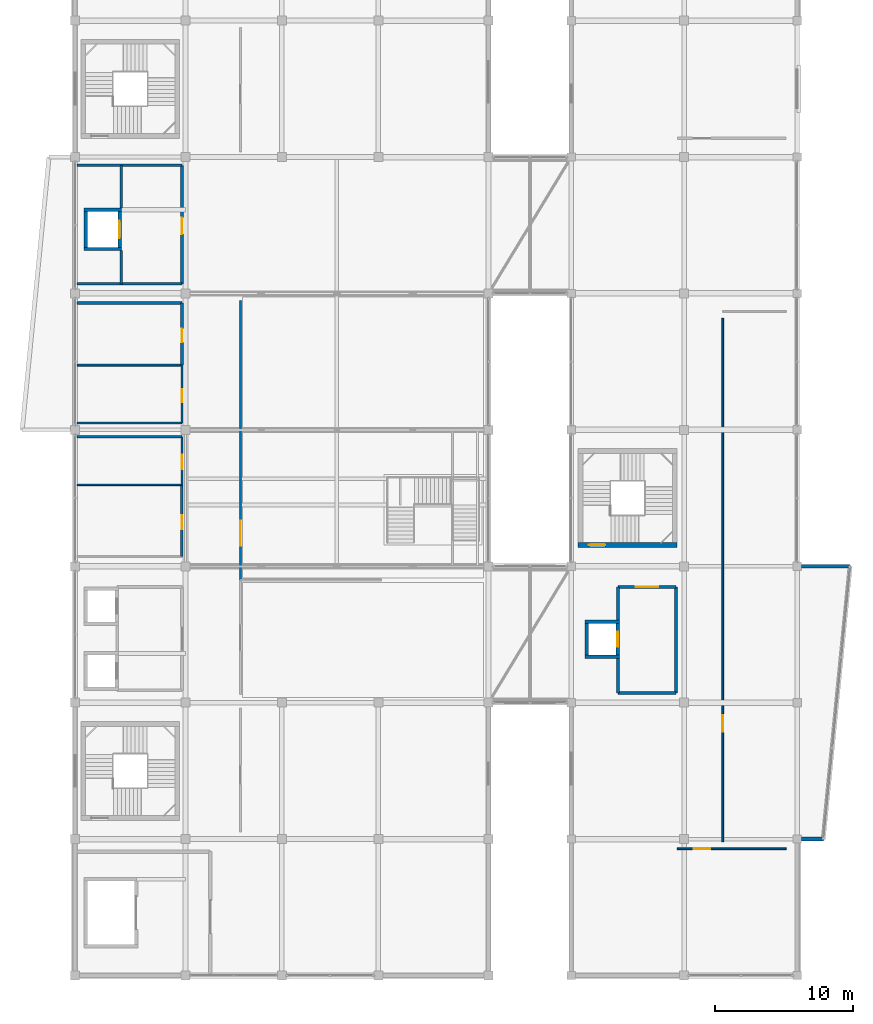
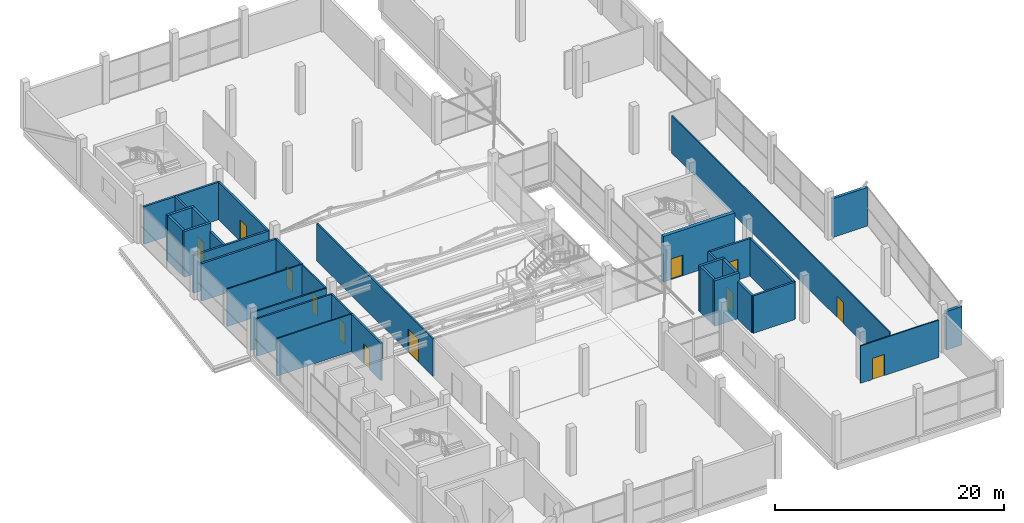
# One storey, part 53 of 66: 33 walls, 12 doors, 12 openings.
"""IFC4 building model written with IfcOpenShell, lengths in metres."""

from ifc_helpers import new_model, si_unit, direction, frame, frame_2d, origin, place, context, subcontext, project, spatial, rectangle, extrude, material, layer, layer_set, type_object, element, fill, save


model = new_model("IFC4")

# Units and contexts
model_context = context("Model", 3, precision=1e-05, world=origin(), true_north=direction((0.0, 1.0)))
body_context = subcontext(model_context, "Body", "Model", "MODEL_VIEW")
ifc_project = project(units=[si_unit("LENGTHUNIT", "METRE"), si_unit("AREAUNIT", "SQUARE_METRE"), si_unit("VOLUMEUNIT", "CUBIC_METRE"), si_unit("PLANEANGLEUNIT", "RADIAN"), si_unit("MASSUNIT", "GRAM", prefix="KILO")], contexts=[model_context])

# Site, building, storey
site_placement = place(None, origin())
site = spatial("IfcSite", under=ifc_project, at=site_placement, CompositionType="ELEMENT")
building_placement = place(site_placement, origin())
building = spatial("IfcBuilding", under=site, at=building_placement, Name="Sillaruma Civic Art Gallery", CompositionType="ELEMENT")
storey_placement = place(building_placement, frame((0.0, 0.0, 57.1201171875)))
storey = spatial("IfcBuildingStorey", under=building, at=storey_placement, Name="L11", CompositionType="ELEMENT", Elevation=57.1201171875)

# Wall, opening, door
ifc_material_1 = material(Name="Concrete H40 (40 MPa)", Category="concrete")
ifc_layer_1 = layer(ifc_material_1, 0.35009765625, Name="Concrete H40 (40 MPa)")
ifc_layer_set_1 = layer_set([ifc_layer_1], Name="Concrete H40 (40 MPa)")
wall_type_1 = type_object("IfcWallType", Name="WAL-CORE-350", PredefinedType="SHEAR", material=ifc_layer_set_1)
wall_1_placement = place(storey_placement, frame((98.510009765625, 51.034912109375, 0.0), z_axis=(0.0, 0.0, 1.0), x_axis=(1.0, 0.0, 0.0)))
wall_1 = element("IfcWall", 1, at=wall_1_placement, inside=storey, type_object=wall_type_1, Name="Stair Core Shear Wall W-CORE-350 (ST-04:L11:S)", PredefinedType="SHEAR", context=body_context, shape_type="SweptSolid", body=[
    extrude(rectangle(XDim=7.179931640625, YDim=0.35009765625, at=frame_2d((3.58984375, 0.0))), origin(), (0.0, 0.0, 1.0), 4.869873046875),
])
opening_1_placement = place(wall_1_placement, frame((0.77001953125, 0.0, 0.0)))
opening_1 = element("IfcOpeningElement", 2, at=opening_1_placement, cuts=wall_1, Name="Opening D-STAIR", PredefinedType="OPENING", context=body_context, shape_type="SweptSolid", body=[
    extrude(rectangle(XDim=1.199951171875, YDim=2.199951171875, at=frame_2d((0.60009765625, 1.10009765625))), frame((0.0, 0.18505859375, 0.0), z_axis=(0.0, -1.0, 0.0), x_axis=(1.0, 0.0, 0.0)), (0.0, 0.0, 1.0), 0.3701171875),
])
ifc_material_2 = material(Name="Galvanised Steel ASTM A653 Gr.50", Category="steel")
door_type_1 = type_object("IfcDoorType", Name="DOR-STAIR-120", OperationType="NOTDEFINED", PredefinedType="DOOR", material=ifc_material_2)
door_1_placement = place(opening_1_placement, origin())
door_1 = element("IfcDoor", 3, at=door_1_placement, inside=storey, type_object=door_type_1, Name="Protected Stair Fire Door (ST-04:L11)", OperationType="SINGLE_SWING_LEFT", OverallHeight=2.199951171875, OverallWidth=1.199951171875, PredefinedType="DOOR", context=body_context, shape_type="SweptSolid", body=[
    extrude(rectangle(XDim=1.199951171875, YDim=2.199951171875, at=frame_2d((0.60009765625, 1.10009765625))), frame((0.0, 0.02490234375, 0.0), z_axis=(0.0, -1.0, 0.0), x_axis=(1.0, 0.0, 0.0)), (0.0, 0.0, 1.0), 0.050048828125),
])
fill(opening_1, door_1)

# Walls
ifc_material_3 = material(Name="Concrete H35 (35 MPa)", Category="concrete")
ifc_layer_2 = layer(ifc_material_3, 0.159912109375, Name="Concrete backup", Category="concrete")
ifc_material_4 = material(Name="Mineral Wool Thermal Insulation", Category="insulation")
ifc_layer_3 = layer(ifc_material_4, 0.090087890625, Name="Thermal insulation", Category="insulation")
ifc_material_5 = material(Name="Anodised Zinc-Aluminium Alloy", Category="aluminium")
ifc_layer_4 = layer(ifc_material_5, 0.030029296875, Name="Rainscreen finish", Category="aluminium")
ifc_layer_set_2 = layer_set([ifc_layer_2, ifc_layer_3, ifc_layer_4], Name="W-EXT-280")
wall_type_2 = type_object("IfcWallType", Name="WAL-EXT-280", PredefinedType="SOLIDWALL", material=ifc_layer_set_2)
wall_2_placement = place(storey_placement, frame((114.699951171875, 29.699951171875, 0.0), z_axis=(0.0, 0.0, 1.0), x_axis=(1.0, 0.0, 0.0)))
element("IfcWall", 4, at=wall_2_placement, inside=storey, type_object=wall_type_2, Name="Exterior Wall W-EXT-280 (EW-PRW-L11-E-S1)", PredefinedType="SOLIDWALL", context=body_context, shape_type="SweptSolid", body=[
    extrude(rectangle(XDim=1.60009765625, YDim=0.280029296875, at=frame_2d((0.800048828125, 0.0))), origin(), (0.0, 0.0, 1.0), 4.119873046875),
])
wall_3_placement = place(storey_placement, frame((118.25, 49.5, 0.0), z_axis=(0.0, 0.0, 1.0), x_axis=(-1.0, 0.0, 0.0)))
element("IfcWall", 5, at=wall_3_placement, inside=storey, type_object=wall_type_2, Name="Exterior Wall W-EXT-280 (EW-PRW-L11-E-S3)", PredefinedType="SOLIDWALL", context=body_context, shape_type="SweptSolid", body=[
    extrude(rectangle(XDim=3.550048828125, YDim=0.280029296875, at=frame_2d((1.77490234375, 0.0))), origin(), (0.0, 0.0, 1.0), 4.119873046875),
])
ifc_material_6 = material(Name="Concrete Masonry Unit Grade M15", Category="masonry")
ifc_layer_5 = layer(ifc_material_6, 0.199951171875, Name="Concrete Masonry Unit Grade M15")
ifc_layer_set_3 = layer_set([ifc_layer_5], Name="Concrete Masonry Unit Grade M15")
wall_type_3 = type_object("IfcWallType", Name="WAL-LOBBY-200", PredefinedType="SOLIDWALL", material=ifc_layer_set_3)
for number, where, z_axis, x_axis, name in (
    (6, (62.14990234375, 70.0, 0.0), (0.0, 0.0, 1.0), (1.0, 0.0, 0.0), "Interior Wall W-LOBBY-200 (L11-FFL)"),
    (7, (62.14990234375, 78.60009765625, 0.0), (0.0, 0.0, 1.0), (1.0, 0.0, 0.0), "Interior Wall W-LOBBY-200 (L11-FFL)"),
):
    element("IfcWall", number, at=place(storey_placement, frame(where, z_axis=z_axis, x_axis=x_axis)), inside=storey, type_object=wall_type_3, Name=name, PredefinedType="SOLIDWALL", context=body_context, shape_type="SweptSolid", body=[
        extrude(rectangle(XDim=7.60009765625, YDim=0.199951171875, at=frame_2d((3.800048828125, 0.0))), origin(), (0.0, 0.0, 1.0), 3.989990234375),
    ])
wall_4_placement = place(storey_placement, frame((65.35009765625, 70.0, 0.0), z_axis=(0.0, 0.0, 1.0), x_axis=(0.0, 1.0, 0.0)))
element("IfcWall", 8, at=wall_4_placement, inside=storey, type_object=wall_type_3, Name="Interior Wall W-LOBBY-200 (L11-FFL)", PredefinedType="SOLIDWALL", context=body_context, shape_type="SweptSolid", body=[
    extrude(rectangle(XDim=2.39990234375, YDim=0.199951171875, at=frame_2d((1.199951171875, 0.0))), origin(), (0.0, 0.0, 1.0), 3.989990234375),
])
wall_5_placement = place(storey_placement, frame((65.35009765625, 75.5, 0.0), z_axis=(0.0, 0.0, 1.0), x_axis=(0.0, 1.0, 0.0)))
element("IfcWall", 9, at=wall_5_placement, inside=storey, type_object=wall_type_3, Name="Interior Wall W-LOBBY-200 (L11-FFL)", PredefinedType="SOLIDWALL", context=body_context, shape_type="SweptSolid", body=[
    extrude(rectangle(XDim=3.10009765625, YDim=0.199951171875, at=frame_2d((1.550048828125, 0.0))), origin(), (0.0, 0.0, 1.0), 3.989990234375),
])

# Wall, opening, door
wall_6_placement = place(storey_placement, frame((69.75, 70.0, 0.0), z_axis=(0.0, 0.0, 1.0), x_axis=(0.0, 1.0, 0.0)))
wall_6 = element("IfcWall", 10, at=wall_6_placement, inside=storey, type_object=wall_type_3, Name="Interior Wall W-LOBBY-200 (L11-FFL)", PredefinedType="SOLIDWALL", context=body_context, shape_type="SweptSolid", body=[
    extrude(rectangle(XDim=8.60009765625, YDim=0.199951171875, at=frame_2d((4.300048828125, 0.0))), origin(), (0.0, 0.0, 1.0), 3.989990234375),
])
opening_2_placement = place(wall_6_placement, frame((3.60009765625, 0.0, 0.0)))
opening_2 = element("IfcOpeningElement", 11, at=opening_2_placement, cuts=wall_6, Name="Opening D-FFL", PredefinedType="OPENING", context=body_context, shape_type="SweptSolid", body=[
    extrude(rectangle(XDim=1.199951171875, YDim=2.25, at=frame_2d((0.60009765625, 1.125))), frame((0.0, 0.10986328125, 0.0), z_axis=(0.0, -1.0, 0.0), x_axis=(1.0, 0.0, 0.0)), (0.0, 0.0, 1.0), 0.219970703125),
])
door_type_2 = type_object("IfcDoorType", Name="DOR-FFL-120", OperationType="NOTDEFINED", PredefinedType="DOOR", material=ifc_material_2)
door_2_placement = place(opening_2_placement, origin())
door_2 = element("IfcDoor", 12, at=door_2_placement, inside=storey, type_object=door_type_2, Name="Firefighting Lobby Door (D-FFL)", OperationType="SINGLE_SWING_RIGHT", OverallHeight=2.25, OverallWidth=1.199951171875, PredefinedType="DOOR", context=body_context, shape_type="SweptSolid", body=[
    extrude(rectangle(XDim=1.199951171875, YDim=2.25, at=frame_2d((0.60009765625, 1.125))), frame((0.0, 0.02490234375, 0.0), z_axis=(0.0, -1.0, 0.0), x_axis=(1.0, 0.0, 0.0)), (0.0, 0.0, 1.0), 0.050048828125),
])
fill(opening_2, door_2)

# Wall
wall_7_placement = place(storey_placement, frame((62.14990234375, 68.60009765625, 0.0), z_axis=(0.0, 0.0, 1.0), x_axis=(1.0, 0.0, 0.0)))
element("IfcWall", 13, at=wall_7_placement, inside=storey, type_object=wall_type_3, Name="Interior Wall W-LOBBY-200 (L11-RSR)", PredefinedType="SOLIDWALL", context=body_context, shape_type="SweptSolid", body=[
    extrude(rectangle(XDim=7.60009765625, YDim=0.199951171875, at=frame_2d((3.800048828125, 0.0))), origin(), (0.0, 0.0, 1.0), 3.989990234375),
])

# Wall, opening, door
wall_8_placement = place(storey_placement, frame((69.75, 64.10009765625, 0.0), z_axis=(0.0, 0.0, 1.0), x_axis=(0.0, 1.0, 0.0)))
wall_8 = element("IfcWall", 14, at=wall_8_placement, inside=storey, type_object=wall_type_3, Name="Interior Wall W-LOBBY-200 (L11-RSR)", PredefinedType="SOLIDWALL", context=body_context, shape_type="SweptSolid", body=[
    extrude(rectangle(XDim=4.5, YDim=0.199951171875, at=frame_2d((2.25, 0.0))), origin(), (0.0, 0.0, 1.0), 3.989990234375),
])
opening_3_placement = place(wall_8_placement, frame((1.64990234375, 0.0, 0.0)))
opening_3 = element("IfcOpeningElement", 15, at=opening_3_placement, cuts=wall_8, Name="Opening D-RISER", PredefinedType="OPENING", context=body_context, shape_type="SweptSolid", body=[
    extrude(rectangle(XDim=1.0, YDim=2.14990234375, at=frame_2d((0.5, 1.074951171875))), frame((0.0, 0.10986328125, 0.0), z_axis=(0.0, -1.0, 0.0), x_axis=(1.0, 0.0, 0.0)), (0.0, 0.0, 1.0), 0.219970703125),
])
door_type_3 = type_object("IfcDoorType", Name="DOR-RISER-100", OperationType="NOTDEFINED", PredefinedType="DOOR", material=ifc_material_2)
door_3_placement = place(opening_3_placement, origin())
door_3 = element("IfcDoor", 16, at=door_3_placement, inside=storey, type_object=door_type_3, Name="MEP Service Riser Door (D-RISER)", OperationType="SINGLE_SWING_RIGHT", OverallHeight=2.14990234375, OverallWidth=1.0, PredefinedType="DOOR", context=body_context, shape_type="SweptSolid", body=[
    extrude(rectangle(XDim=1.0, YDim=2.14990234375, at=frame_2d((0.5, 1.074951171875))), frame((0.0, 0.02490234375, 0.0), z_axis=(0.0, -1.0, 0.0), x_axis=(1.0, 0.0, 0.0)), (0.0, 0.0, 1.0), 0.050048828125),
])
fill(opening_3, door_3)

# Walls
wall_9_placement = place(storey_placement, frame((101.39990234375, 40.300048828125, 0.0), z_axis=(0.0, 0.0, 1.0), x_axis=(1.0, 0.0, 0.0)))
element("IfcWall", 17, at=wall_9_placement, inside=storey, type_object=wall_type_3, Name="Interior Wall W-LOBBY-200 (L11-LLE)", PredefinedType="SOLIDWALL", context=body_context, shape_type="SweptSolid", body=[
    extrude(rectangle(XDim=4.2001953125, YDim=0.199951171875, at=frame_2d((2.10009765625, 0.0))), origin(), (0.0, 0.0, 1.0), 3.989990234375),
])
wall_10_placement = place(storey_placement, frame((101.39990234375, 40.300048828125, 0.0), z_axis=(0.0, 0.0, 1.0), x_axis=(0.0, 1.0, 0.0)))
element("IfcWall", 18, at=wall_10_placement, inside=storey, type_object=wall_type_3, Name="Interior Wall W-LOBBY-200 (L11-LLE)", PredefinedType="SOLIDWALL", context=body_context, shape_type="SweptSolid", body=[
    extrude(rectangle(XDim=2.5, YDim=0.199951171875, at=frame_2d((1.25, 0.0))), origin(), (0.0, 0.0, 1.0), 3.989990234375),
])
wall_11_placement = place(storey_placement, frame((101.39990234375, 45.60009765625, 0.0), z_axis=(0.0, 0.0, 1.0), x_axis=(0.0, 1.0, 0.0)))
element("IfcWall", 19, at=wall_11_placement, inside=storey, type_object=wall_type_3, Name="Interior Wall W-LOBBY-200 (L11-LLE)", PredefinedType="SOLIDWALL", context=body_context, shape_type="SweptSolid", body=[
    extrude(rectangle(XDim=2.39990234375, YDim=0.199951171875, at=frame_2d((1.199951171875, 0.0))), origin(), (0.0, 0.0, 1.0), 3.989990234375),
])
wall_12_placement = place(storey_placement, frame((105.60009765625, 40.300048828125, 0.0), z_axis=(0.0, 0.0, 1.0), x_axis=(0.0, 1.0, 0.0)))
element("IfcWall", 20, at=wall_12_placement, inside=storey, type_object=wall_type_3, Name="Interior Wall W-LOBBY-200 (L11-LLE)", PredefinedType="SOLIDWALL", context=body_context, shape_type="SweptSolid", body=[
    extrude(rectangle(XDim=7.699951171875, YDim=0.199951171875, at=frame_2d((3.85009765625, 0.0))), origin(), (0.0, 0.0, 1.0), 3.989990234375),
])

# Wall, opening, door
wall_13_placement = place(storey_placement, frame((101.39990234375, 48.0, 0.0), z_axis=(0.0, 0.0, 1.0), x_axis=(1.0, 0.0, 0.0)))
wall_13 = element("IfcWall", 21, at=wall_13_placement, inside=storey, type_object=wall_type_3, Name="Interior Wall W-LOBBY-200 (L11-LLE)", PredefinedType="SOLIDWALL", context=body_context, shape_type="SweptSolid", body=[
    extrude(rectangle(XDim=4.2001953125, YDim=0.199951171875, at=frame_2d((2.10009765625, 0.0))), origin(), (0.0, 0.0, 1.0), 3.989990234375),
])
opening_4_placement = place(wall_13_placement, frame((1.300048828125, 0.0, 0.0)))
opening_4 = element("IfcOpeningElement", 22, at=opening_4_placement, cuts=wall_13, Name="Opening D-LOBBY", PredefinedType="OPENING", context=body_context, shape_type="SweptSolid", body=[
    extrude(rectangle(XDim=1.60009765625, YDim=2.199951171875, at=frame_2d((0.800048828125, 1.10009765625))), frame((0.0, 0.10986328125, 0.0), z_axis=(0.0, -1.0, 0.0), x_axis=(1.0, 0.0, 0.0)), (0.0, 0.0, 1.0), 0.219970703125),
])
ifc_material_7 = material(Name="Thermally Broken Extruded Aluminium 6063-T6", Category="aluminium")
door_type_4 = type_object("IfcDoorType", Name="DOR-LOBBY-160", OperationType="NOTDEFINED", PredefinedType="DOOR", material=ifc_material_7)
door_4_placement = place(opening_4_placement, origin())
door_4 = element("IfcDoor", 23, at=door_4_placement, inside=storey, type_object=door_type_4, Name="East Lift Lobby Door (D-LOBBY)", OperationType="DOUBLE_DOOR_SINGLE_SWING", OverallHeight=2.199951171875, OverallWidth=1.60009765625, PredefinedType="DOOR", context=body_context, shape_type="SweptSolid", body=[
    extrude(rectangle(XDim=1.60009765625, YDim=2.199951171875, at=frame_2d((0.800048828125, 1.10009765625))), frame((0.0, 0.02490234375, 0.0), z_axis=(0.0, -1.0, 0.0), x_axis=(1.0, 0.0, 0.0)), (0.0, 0.0, 1.0), 0.050048828125),
])
fill(opening_4, door_4)

# Wall
ifc_material_8 = material(Name="Gypsum Acoustic Board", Category="gypsum")
ifc_layer_6 = layer(ifc_material_8, 0.02490234375, Name="Finish board", Category="gypsum")
ifc_layer_7 = layer(ifc_material_4, 0.06005859375, Name="Acoustic core", Category="insulation")
ifc_material_9 = material(Name="Andean Oak Timber", Category="wood")
ifc_layer_8 = layer(ifc_material_9, 0.02490234375, Name="Gallery lining", Category="wood")
ifc_layer_set_4 = layer_set([ifc_layer_6, ifc_layer_7, ifc_layer_8], Name="W-PT-110")
wall_type_4 = type_object("IfcWallType", Name="WAL-PART-110", PredefinedType="PARTITIONING", material=ifc_layer_set_4)
wall_14_placement = place(storey_placement, frame((62.14990234375, 55.39990234375, 0.0), z_axis=(0.0, 0.0, 1.0), x_axis=(1.0, 0.0, 0.0)))
element("IfcWall", 24, at=wall_14_placement, inside=storey, type_object=wall_type_4, Name="Interior Wall W-PT-110 (L11-WC1)", PredefinedType="PARTITIONING", context=body_context, shape_type="SweptSolid", body=[
    extrude(rectangle(XDim=7.60009765625, YDim=0.110107421875, at=frame_2d((3.800048828125, 0.0))), origin(), (0.0, 0.0, 1.0), 3.989990234375),
])

# Wall, opening, door
ifc_layer_9 = layer(ifc_material_8, 0.02490234375, Name="Finish board", Category="gypsum")
ifc_layer_10 = layer(ifc_material_4, 0.070068359375, Name="Acoustic core", Category="insulation")
ifc_layer_11 = layer(ifc_material_9, 0.02490234375, Name="Gallery lining", Category="wood")
ifc_layer_set_5 = layer_set([ifc_layer_9, ifc_layer_10, ifc_layer_11], Name="W-PT-120")
wall_type_5 = type_object("IfcWallType", Name="WAL-PART-120", PredefinedType="PARTITIONING", material=ifc_layer_set_5)
wall_15_placement = place(storey_placement, frame((69.75, 59.89990234375, 0.0), z_axis=(0.0, 0.0, 1.0), x_axis=(0.0, 1.0, 0.0)))
wall_15 = element("IfcWall", 25, at=wall_15_placement, inside=storey, type_object=wall_type_5, Name="Interior Wall W-PT-120 (L11-CLN)", PredefinedType="PARTITIONING", context=body_context, shape_type="SweptSolid", body=[
    extrude(rectangle(XDim=4.2001953125, YDim=0.1201171875, at=frame_2d((2.10009765625, 0.0))), origin(), (0.0, 0.0, 1.0), 3.989990234375),
])
opening_5_placement = place(wall_15_placement, frame((1.5, 0.0, 0.0)))
opening_5 = element("IfcOpeningElement", 26, at=opening_5_placement, cuts=wall_15, Name="Opening D-SVC09", PredefinedType="OPENING", context=body_context, shape_type="SweptSolid", body=[
    extrude(rectangle(XDim=0.949951171875, YDim=2.10009765625, at=frame_2d((0.47509765625, 1.050048828125))), frame((0.0, 0.070068359375, 0.0), z_axis=(0.0, -1.0, 0.0), x_axis=(1.0, 0.0, 0.0)), (0.0, 0.0, 1.0), 0.14013671875),
])
door_type_5 = type_object("IfcDoorType", Name="DOR-SVC-095", OperationType="NOTDEFINED", PredefinedType="DOOR", material=ifc_material_9)
door_5_placement = place(opening_5_placement, origin())
door_5 = element("IfcDoor", 27, at=door_5_placement, inside=storey, type_object=door_type_5, Name="Cleaner Store Door (D-SVC09)", OperationType="SINGLE_SWING_LEFT", OverallHeight=2.10009765625, OverallWidth=0.949951171875, PredefinedType="DOOR", context=body_context, shape_type="SweptSolid", body=[
    extrude(rectangle(XDim=0.949951171875, YDim=2.10009765625, at=frame_2d((0.47509765625, 1.050048828125))), frame((0.0, 0.02490234375, 0.0), z_axis=(0.0, -1.0, 0.0), x_axis=(1.0, 0.0, 0.0)), (0.0, 0.0, 1.0), 0.050048828125),
])
fill(opening_5, door_5)

wall_16_placement = place(storey_placement, frame((109.0, 29.5, 0.0), z_axis=(0.0, 0.0, 1.0), x_axis=(0.0, 1.0, 0.0)))
wall_16 = element("IfcWall", 28, at=wall_16_placement, inside=storey, type_object=wall_type_5, Name="Interior Wall W-PT-120 (L11-STDE2)", PredefinedType="PARTITIONING", context=body_context, shape_type="SweptSolid", body=[
    extrude(rectangle(XDim=38.0, YDim=0.1201171875, at=frame_2d((19.0, 0.0))), origin(), (0.0, 0.0, 1.0), 3.989990234375),
])
opening_6_placement = place(wall_16_placement, frame((8.0, 0.0, 0.0)))
opening_6 = element("IfcOpeningElement", 29, at=opening_6_placement, cuts=wall_16, Name="Opening D-STD12", PredefinedType="OPENING", context=body_context, shape_type="SweptSolid", body=[
    extrude(rectangle(XDim=1.199951171875, YDim=2.25, at=frame_2d((0.60009765625, 1.125))), frame((0.0, 0.070068359375, 0.0), z_axis=(0.0, -1.0, 0.0), x_axis=(1.0, 0.0, 0.0)), (0.0, 0.0, 1.0), 0.14013671875),
])
door_type_6 = type_object("IfcDoorType", Name="DOR-STD-120", OperationType="NOTDEFINED", PredefinedType="DOOR", material=ifc_material_9)
door_6_placement = place(opening_6_placement, origin())
door_6 = element("IfcDoor", 30, at=door_6_placement, inside=storey, type_object=door_type_6, Name="East Wing Central Artist Studio (L11) Door (D-STD12)", OperationType="SINGLE_SWING_RIGHT", OverallHeight=2.25, OverallWidth=1.199951171875, PredefinedType="DOOR", context=body_context, shape_type="SweptSolid", body=[
    extrude(rectangle(XDim=1.199951171875, YDim=2.25, at=frame_2d((0.60009765625, 1.125))), frame((0.0, 0.02490234375, 0.0), z_axis=(0.0, -1.0, 0.0), x_axis=(1.0, 0.0, 0.0)), (0.0, 0.0, 1.0), 0.050048828125),
])
fill(opening_6, door_6)

# Wall
ifc_layer_12 = layer(ifc_material_8, 0.02490234375, Name="Finish board", Category="gypsum")
ifc_layer_13 = layer(ifc_material_4, 0.080078125, Name="Acoustic core", Category="insulation")
ifc_layer_14 = layer(ifc_material_9, 0.02490234375, Name="Gallery lining", Category="wood")
ifc_layer_set_6 = layer_set([ifc_layer_12, ifc_layer_13, ifc_layer_14], Name="W-PT-130")
wall_type_6 = type_object("IfcWallType", Name="WAL-PART-130", PredefinedType="PARTITIONING", material=ifc_layer_set_6)
wall_17_placement = place(storey_placement, frame((62.14990234375, 64.10009765625, 0.0), z_axis=(0.0, 0.0, 1.0), x_axis=(1.0, 0.0, 0.0)))
element("IfcWall", 31, at=wall_17_placement, inside=storey, type_object=wall_type_6, Name="Interior Wall W-PT-130 (L11-CLN)", PredefinedType="PARTITIONING", context=body_context, shape_type="SweptSolid", body=[
    extrude(rectangle(XDim=7.60009765625, YDim=0.1298828125, at=frame_2d((3.800048828125, 0.0))), origin(), (0.0, 0.0, 1.0), 3.989990234375),
])

# Wall, opening, door
wall_18_placement = place(storey_placement, frame((105.699951171875, 29.0, 0.0), z_axis=(0.0, 0.0, 1.0), x_axis=(1.0, 0.0, 0.0)))
wall_18 = element("IfcWall", 32, at=wall_18_placement, inside=storey, type_object=wall_type_6, Name="Interior Wall W-PT-130 (L11-STDE1)", PredefinedType="PARTITIONING", context=body_context, shape_type="SweptSolid", body=[
    extrude(rectangle(XDim=7.900146484375, YDim=0.1298828125, at=frame_2d((3.9501953125, 0.0))), origin(), (0.0, 0.0, 1.0), 3.989990234375),
])
opening_7_placement = place(wall_18_placement, frame((1.199951171875, 0.0, 0.0)))
opening_7 = element("IfcOpeningElement", 33, at=opening_7_placement, cuts=wall_18, Name="Opening D-STD12", PredefinedType="OPENING", context=body_context, shape_type="SweptSolid", body=[
    extrude(rectangle(XDim=1.199951171875, YDim=2.25, at=frame_2d((0.60009765625, 1.125))), frame((0.0, 0.074951171875, 0.0), z_axis=(0.0, -1.0, 0.0), x_axis=(1.0, 0.0, 0.0)), (0.0, 0.0, 1.0), 0.14990234375),
])
door_7_placement = place(opening_7_placement, origin())
door_7 = element("IfcDoor", 34, at=door_7_placement, inside=storey, type_object=door_type_6, Name="East Wing South Artist Studio (L11) Door (D-STD12)", OperationType="SINGLE_SWING_LEFT", OverallHeight=2.25, OverallWidth=1.199951171875, PredefinedType="DOOR", context=body_context, shape_type="SweptSolid", body=[
    extrude(rectangle(XDim=1.199951171875, YDim=2.25, at=frame_2d((0.60009765625, 1.125))), frame((0.0, 0.02490234375, 0.0), z_axis=(0.0, -1.0, 0.0), x_axis=(1.0, 0.0, 0.0)), (0.0, 0.0, 1.0), 0.050048828125),
])
fill(opening_7, door_7)

# Wall
ifc_layer_15 = layer(ifc_material_8, 0.02490234375, Name="Finish board", Category="gypsum")
ifc_layer_16 = layer(ifc_material_4, 0.090087890625, Name="Acoustic core", Category="insulation")
ifc_layer_17 = layer(ifc_material_9, 0.02490234375, Name="Gallery lining", Category="wood")
ifc_layer_set_7 = layer_set([ifc_layer_15, ifc_layer_16, ifc_layer_17], Name="W-PT-140")
wall_type_7 = type_object("IfcWallType", Name="WAL-PART-140", PredefinedType="PARTITIONING", material=ifc_layer_set_7)
wall_19_placement = place(storey_placement, frame((62.14990234375, 59.89990234375, 0.0), z_axis=(0.0, 0.0, 1.0), x_axis=(1.0, 0.0, 0.0)))
element("IfcWall", 35, at=wall_19_placement, inside=storey, type_object=wall_type_7, Name="Interior Wall W-PT-140 (L11-CLN)", PredefinedType="PARTITIONING", context=body_context, shape_type="SweptSolid", body=[
    extrude(rectangle(XDim=7.60009765625, YDim=0.139892578125, at=frame_2d((3.800048828125, 0.0))), origin(), (0.0, 0.0, 1.0), 3.989990234375),
])

# Wall, opening, door
ifc_layer_18 = layer(ifc_material_8, 0.02490234375, Name="Finish board", Category="gypsum")
ifc_layer_19 = layer(ifc_material_4, 0.10009765625, Name="Acoustic core", Category="insulation")
ifc_layer_20 = layer(ifc_material_9, 0.02490234375, Name="Gallery lining", Category="wood")
ifc_layer_set_8 = layer_set([ifc_layer_18, ifc_layer_19, ifc_layer_20], Name="W-PT-150")
wall_type_8 = type_object("IfcWallType", Name="WAL-PART-150", PredefinedType="PARTITIONING", material=ifc_layer_set_8)
wall_20_placement = place(storey_placement, frame((69.75, 55.39990234375, 0.0), z_axis=(0.0, 0.0, 1.0), x_axis=(0.0, 1.0, 0.0)))
wall_20 = element("IfcWall", 36, at=wall_20_placement, inside=storey, type_object=wall_type_8, Name="Interior Wall W-PT-150 (L11-WCA)", PredefinedType="PARTITIONING", context=body_context, shape_type="SweptSolid", body=[
    extrude(rectangle(XDim=3.5, YDim=0.14990234375, at=frame_2d((1.75, 0.0))), origin(), (0.0, 0.0, 1.0), 3.989990234375),
])
opening_8_placement = place(wall_20_placement, frame((1.14990234375, 0.0, 0.0)))
opening_8 = element("IfcOpeningElement", 37, at=opening_8_placement, cuts=wall_20, Name="Opening D-AWC10", PredefinedType="OPENING", context=body_context, shape_type="SweptSolid", body=[
    extrude(rectangle(XDim=1.050048828125, YDim=2.14990234375, at=frame_2d((0.52490234375, 1.074951171875))), frame((0.0, 0.0849609375, 0.0), z_axis=(0.0, -1.0, 0.0), x_axis=(1.0, 0.0, 0.0)), (0.0, 0.0, 1.0), 0.169921875),
])
door_type_7 = type_object("IfcDoorType", Name="DOR-AWC-105", OperationType="NOTDEFINED", PredefinedType="DOOR", material=ifc_material_9)
door_8_placement = place(opening_8_placement, origin())
door_8 = element("IfcDoor", 38, at=door_8_placement, inside=storey, type_object=door_type_7, Name="Accessible WC Door (D-AWC10)", OperationType="SINGLE_SWING_RIGHT", OverallHeight=2.14990234375, OverallWidth=1.050048828125, PredefinedType="DOOR", context=body_context, shape_type="SweptSolid", body=[
    extrude(rectangle(XDim=1.050048828125, YDim=2.14990234375, at=frame_2d((0.52490234375, 1.074951171875))), frame((0.0, 0.02490234375, 0.0), z_axis=(0.0, -1.0, 0.0), x_axis=(1.0, 0.0, 0.0)), (0.0, 0.0, 1.0), 0.050048828125),
])
fill(opening_8, door_8)

# Wall
ifc_layer_21 = layer(ifc_material_8, 0.02490234375, Name="Finish board", Category="gypsum")
ifc_layer_22 = layer(ifc_material_4, 0.114990234375, Name="Acoustic core", Category="insulation")
ifc_layer_23 = layer(ifc_material_9, 0.02490234375, Name="Gallery lining", Category="wood")
ifc_layer_set_9 = layer_set([ifc_layer_21, ifc_layer_22, ifc_layer_23], Name="W-PT-165")
wall_type_9 = type_object("IfcWallType", Name="WAL-PART-165", PredefinedType="PARTITIONING", material=ifc_layer_set_9)
wall_21_placement = place(storey_placement, frame((62.14990234375, 58.89990234375, 0.0), z_axis=(0.0, 0.0, 1.0), x_axis=(1.0, 0.0, 0.0)))
element("IfcWall", 39, at=wall_21_placement, inside=storey, type_object=wall_type_9, Name="Interior Wall W-PT-165 (L11-WCA)", PredefinedType="PARTITIONING", context=body_context, shape_type="SweptSolid", body=[
    extrude(rectangle(XDim=7.60009765625, YDim=0.1650390625, at=frame_2d((3.800048828125, 0.0))), origin(), (0.0, 0.0, 1.0), 3.989990234375),
])

# Wall, opening, door
wall_22_placement = place(storey_placement, frame((74.0, 48.5, 0.0), z_axis=(0.0, 0.0, 1.0), x_axis=(0.0, 1.0, 0.0)))
wall_22 = element("IfcWall", 40, at=wall_22_placement, inside=storey, type_object=wall_type_9, Name="Interior Wall W-PT-165 (L11-GALW2)", PredefinedType="PARTITIONING", context=body_context, shape_type="SweptSolid", body=[
    extrude(rectangle(XDim=20.300048828125, YDim=0.1650390625, at=frame_2d((10.14990234375, 0.0))), origin(), (0.0, 0.0, 1.0), 3.989990234375),
])
opening_9_placement = place(wall_22_placement, frame((2.5, 0.0, 0.0)))
opening_9 = element("IfcOpeningElement", 41, at=opening_9_placement, cuts=wall_22, Name="Opening D-GAL18", PredefinedType="OPENING", context=body_context, shape_type="SweptSolid", body=[
    extrude(rectangle(XDim=1.800048828125, YDim=2.449951171875, at=frame_2d((0.89990234375, 1.22509765625))), frame((0.0, 0.092529296875, 0.0), z_axis=(0.0, -1.0, 0.0), x_axis=(1.0, 0.0, 0.0)), (0.0, 0.0, 1.0), 0.18505859375),
])
door_type_8 = type_object("IfcDoorType", Name="DOR-GAL-180", OperationType="NOTDEFINED", PredefinedType="DOOR", material=ifc_material_9)
door_9_placement = place(opening_9_placement, origin())
door_9 = element("IfcDoor", 42, at=door_9_placement, inside=storey, type_object=door_type_8, Name="Paired Wing North Gallery (L11) Door (D-GAL18)", OperationType="DOUBLE_DOOR_SINGLE_SWING", OverallHeight=2.449951171875, OverallWidth=1.800048828125, PredefinedType="DOOR", context=body_context, shape_type="SweptSolid", body=[
    extrude(rectangle(XDim=1.800048828125, YDim=2.449951171875, at=frame_2d((0.89990234375, 1.22509765625))), frame((0.0, 0.02490234375, 0.0), z_axis=(0.0, -1.0, 0.0), x_axis=(1.0, 0.0, 0.0)), (0.0, 0.0, 1.0), 0.050048828125),
])
fill(opening_9, door_9)

ifc_layer_24 = layer(ifc_material_8, 0.02490234375, Name="Finish board", Category="gypsum")
ifc_layer_25 = layer(ifc_material_4, 0.1298828125, Name="Acoustic core", Category="insulation")
ifc_layer_26 = layer(ifc_material_9, 0.02490234375, Name="Gallery lining", Category="wood")
ifc_layer_set_10 = layer_set([ifc_layer_24, ifc_layer_25, ifc_layer_26], Name="W-PT-180")
wall_type_10 = type_object("IfcWallType", Name="WAL-PART-180", PredefinedType="PARTITIONING", material=ifc_layer_set_10)
wall_23_placement = place(storey_placement, frame((69.75, 50.199951171875, 0.0), z_axis=(0.0, 0.0, 1.0), x_axis=(0.0, 1.0, 0.0)))
wall_23 = element("IfcWall", 43, at=wall_23_placement, inside=storey, type_object=wall_type_10, Name="Interior Wall W-PT-180 (L11-WC1)", PredefinedType="PARTITIONING", context=body_context, shape_type="SweptSolid", body=[
    extrude(rectangle(XDim=5.199951171875, YDim=0.179931640625, at=frame_2d((2.60009765625, 0.0))), origin(), (0.0, 0.0, 1.0), 3.989990234375),
])
opening_10_placement = place(wall_23_placement, frame((2.0, 0.0, 0.0)))
opening_10 = element("IfcOpeningElement", 44, at=opening_10_placement, cuts=wall_23, Name="Opening D-WC10", PredefinedType="OPENING", context=body_context, shape_type="SweptSolid", body=[
    extrude(rectangle(XDim=1.0, YDim=2.10009765625, at=frame_2d((0.5, 1.050048828125))), frame((0.0, 0.099853515625, 0.0), z_axis=(0.0, -1.0, 0.0), x_axis=(1.0, 0.0, 0.0)), (0.0, 0.0, 1.0), 0.199951171875),
])
door_type_9 = type_object("IfcDoorType", Name="DOR-WC-100", OperationType="NOTDEFINED", PredefinedType="DOOR", material=ifc_material_9)
door_10_placement = place(opening_10_placement, origin())
door_10 = element("IfcDoor", 45, at=door_10_placement, inside=storey, type_object=door_type_9, Name="Public WC Door (D-WC10)", OperationType="SINGLE_SWING_LEFT", OverallHeight=2.10009765625, OverallWidth=1.0, PredefinedType="DOOR", context=body_context, shape_type="SweptSolid", body=[
    extrude(rectangle(XDim=1.0, YDim=2.10009765625, at=frame_2d((0.5, 1.050048828125))), frame((0.0, 0.02490234375, 0.0), z_axis=(0.0, -1.0, 0.0), x_axis=(1.0, 0.0, 0.0)), (0.0, 0.0, 1.0), 0.050048828125),
])
fill(opening_10, door_10)

# Walls
ifc_layer_27 = layer(ifc_material_1, 0.25, Name="Concrete H40 (40 MPa)")
ifc_layer_set_11 = layer_set([ifc_layer_27], Name="Concrete H40 (40 MPa)")
wall_type_11 = type_object("IfcWallType", Name="WAL-SHAFT-250", PredefinedType="SOLIDWALL", material=ifc_layer_set_11)
for number, where, z_axis, x_axis, name in (
    (46, (99.0, 42.925048828125, 0.0), (0.0, 0.0, 1.0), (1.0, 0.0, 0.0), "Lift Shaft Wall W-SHAFT-250 (PL-03:L11:S)"),
    (47, (99.0, 45.47509765625, 0.0), (0.0, 0.0, 1.0), (1.0, 0.0, 0.0), "Lift Shaft Wall W-SHAFT-250 (PL-03:L11:N)"),
):
    element("IfcWall", number, at=place(storey_placement, frame(where, z_axis=z_axis, x_axis=x_axis)), inside=storey, type_object=wall_type_11, Name=name, PredefinedType="SOLIDWALL", context=body_context, shape_type="SweptSolid", body=[
        extrude(rectangle(XDim=2.5, YDim=0.25, at=frame_2d((1.25, 0.0))), origin(), (0.0, 0.0, 1.0), 4.849853515625),
    ])
wall_24_placement = place(storey_placement, frame((99.125, 43.050048828125, 0.0), z_axis=(0.0, 0.0, 1.0), x_axis=(0.0, 1.0, 0.0)))
element("IfcWall", 48, at=wall_24_placement, inside=storey, type_object=wall_type_11, Name="Lift Shaft Wall W-SHAFT-250 (PL-03:L11:W)", PredefinedType="SOLIDWALL", context=body_context, shape_type="SweptSolid", body=[
    extrude(rectangle(XDim=2.300048828125, YDim=0.25, at=frame_2d((1.14990234375, 0.0))), origin(), (0.0, 0.0, 1.0), 4.849853515625),
])

# Wall, opening, door
wall_25_placement = place(storey_placement, frame((101.375, 43.050048828125, 0.0), z_axis=(0.0, 0.0, 1.0), x_axis=(0.0, 1.0, 0.0)))
wall_25 = element("IfcWall", 49, at=wall_25_placement, inside=storey, type_object=wall_type_11, Name="Lift Shaft Wall W-SHAFT-250 (PL-03:L11:E)", PredefinedType="SOLIDWALL", context=body_context, shape_type="SweptSolid", body=[
    extrude(rectangle(XDim=2.300048828125, YDim=0.25, at=frame_2d((1.14990234375, 0.0))), origin(), (0.0, 0.0, 1.0), 4.849853515625),
])
opening_11_placement = place(wall_25_placement, frame((0.60009765625, 0.0, 0.0)))
opening_11 = element("IfcOpeningElement", 50, at=opening_11_placement, cuts=wall_25, Name="Opening LD-01", PredefinedType="OPENING", context=body_context, shape_type="SweptSolid", body=[
    extrude(rectangle(XDim=1.10009765625, YDim=2.199951171875, at=frame_2d((0.550048828125, 1.10009765625))), frame((0.0, 0.135009765625, 0.0), z_axis=(0.0, -1.0, 0.0), x_axis=(1.0, 0.0, 0.0)), (0.0, 0.0, 1.0), 0.27001953125),
])
door_type_10 = type_object("IfcDoorType", Name="DOR-LD-01", OperationType="NOTDEFINED", PredefinedType="DOOR", material=ifc_material_2)
door_11_placement = place(opening_11_placement, origin())
door_11 = element("IfcDoor", 51, at=door_11_placement, inside=storey, type_object=door_type_10, Name="Lift Sliding Landing Door LD-01 (PL-03:L11)", OperationType="DOUBLE_DOOR_SLIDING", OverallHeight=2.199951171875, OverallWidth=1.10009765625, PredefinedType="DOOR", context=body_context, shape_type="SweptSolid", body=[
    extrude(rectangle(XDim=1.10009765625, YDim=2.199951171875, at=frame_2d((0.550048828125, 1.10009765625))), frame((0.0, 0.02490234375, 0.0), z_axis=(0.0, -1.0, 0.0), x_axis=(1.0, 0.0, 0.0)), (0.0, 0.0, 1.0), 0.050048828125),
])
fill(opening_11, door_11)

# Walls
for number, where, z_axis, x_axis, name in (
    (52, (62.64990234375, 72.52490234375, 0.0), (0.0, 0.0, 1.0), (1.0, 0.0, 0.0), "Lift Shaft Wall W-SHAFT-250 (FFL-01:L11:S)"),
    (53, (62.64990234375, 75.375, 0.0), (0.0, 0.0, 1.0), (1.0, 0.0, 0.0), "Lift Shaft Wall W-SHAFT-250 (FFL-01:L11:N)"),
):
    element("IfcWall", number, at=place(storey_placement, frame(where, z_axis=z_axis, x_axis=x_axis)), inside=storey, type_object=wall_type_11, Name=name, PredefinedType="SOLIDWALL", context=body_context, shape_type="SweptSolid", body=[
        extrude(rectangle(XDim=2.7001953125, YDim=0.25, at=frame_2d((1.35009765625, 0.0))), origin(), (0.0, 0.0, 1.0), 4.849853515625),
    ])
wall_26_placement = place(storey_placement, frame((62.77490234375, 72.64990234375, 0.0), z_axis=(0.0, 0.0, 1.0), x_axis=(0.0, 1.0, 0.0)))
element("IfcWall", 54, at=wall_26_placement, inside=storey, type_object=wall_type_11, Name="Lift Shaft Wall W-SHAFT-250 (FFL-01:L11:W)", PredefinedType="SOLIDWALL", context=body_context, shape_type="SweptSolid", body=[
    extrude(rectangle(XDim=2.60009765625, YDim=0.25, at=frame_2d((1.300048828125, 0.0))), origin(), (0.0, 0.0, 1.0), 4.849853515625),
])

# Wall, opening, door
wall_27_placement = place(storey_placement, frame((65.22509765625, 72.64990234375, 0.0), z_axis=(0.0, 0.0, 1.0), x_axis=(0.0, 1.0, 0.0)))
wall_27 = element("IfcWall", 55, at=wall_27_placement, inside=storey, type_object=wall_type_11, Name="Lift Shaft Wall W-SHAFT-250 (FFL-01:L11:E)", PredefinedType="SOLIDWALL", context=body_context, shape_type="SweptSolid", body=[
    extrude(rectangle(XDim=2.60009765625, YDim=0.25, at=frame_2d((1.300048828125, 0.0))), origin(), (0.0, 0.0, 1.0), 4.849853515625),
])
opening_12_placement = place(wall_27_placement, frame((0.675048828125, 0.0, 0.0)))
opening_12 = element("IfcOpeningElement", 56, at=opening_12_placement, cuts=wall_27, Name="Opening LD-02", PredefinedType="OPENING", context=body_context, shape_type="SweptSolid", body=[
    extrude(rectangle(XDim=1.25, YDim=2.199951171875, at=frame_2d((0.625, 1.10009765625))), frame((0.0, 0.135009765625, 0.0), z_axis=(0.0, -1.0, 0.0), x_axis=(1.0, 0.0, 0.0)), (0.0, 0.0, 1.0), 0.27001953125),
])
door_type_11 = type_object("IfcDoorType", Name="DOR-LD-02", OperationType="NOTDEFINED", PredefinedType="DOOR", material=ifc_material_2)
door_12_placement = place(opening_12_placement, origin())
door_12 = element("IfcDoor", 57, at=door_12_placement, inside=storey, type_object=door_type_11, Name="Lift Sliding Landing Door LD-02 (FFL-01:L11)", OperationType="DOUBLE_DOOR_SLIDING", OverallHeight=2.199951171875, OverallWidth=1.25, PredefinedType="DOOR", context=body_context, shape_type="SweptSolid", body=[
    extrude(rectangle(XDim=1.25, YDim=2.199951171875, at=frame_2d((0.625, 1.10009765625))), frame((0.0, 0.02490234375, 0.0), z_axis=(0.0, -1.0, 0.0), x_axis=(1.0, 0.0, 0.0)), (0.0, 0.0, 1.0), 0.050048828125),
])
fill(opening_12, door_12)

save(model, "model.ifc")
